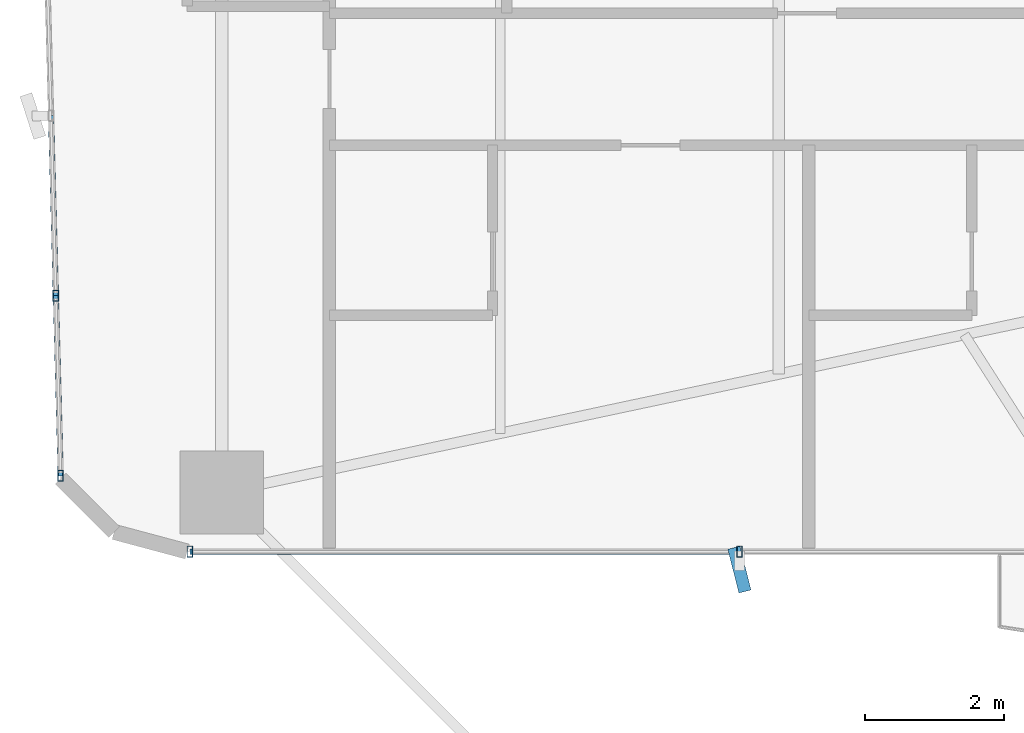
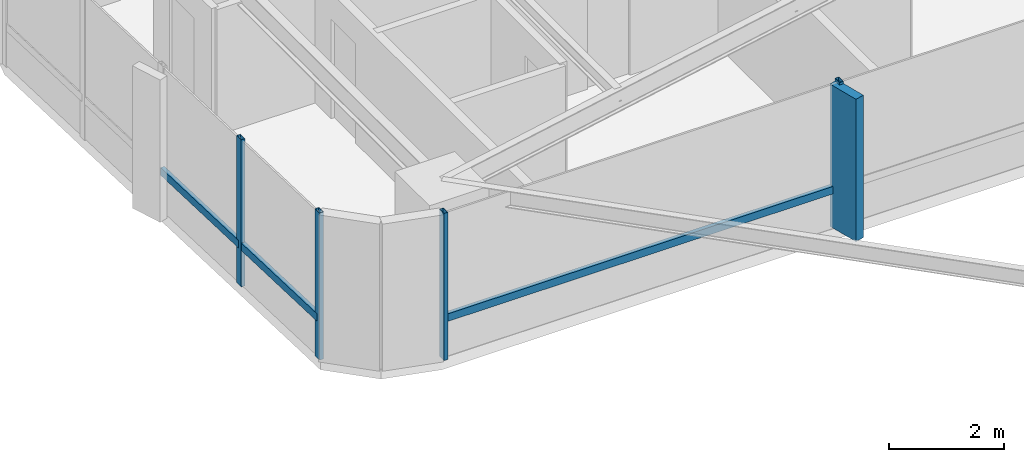
# One storey, part 6 of 26: 8 members, 2 elements without a shape of their own.
"""IFC4 building model written with IfcOpenShell, lengths in metres."""

import ifcopenshell
import ifcopenshell.guid

model = None  # the IFC model being written
_history = None  # IfcOwnerHistory: only IFC2X3 demands one
_inside = {}  # id of a spatial element -> (the spatial element, [elements in it])
_under = {}  # id of a project, library or spatial element -> (it, [spatial elements below it])
_declared = {}  # id of a project -> (the project, [libraries it declares])
_typed = {}  # id of a type object -> (the type object, [elements of that type])
_made_of = {}  # id of a material, layer set ... -> (it, [elements and type objects made of it])


def new_model(schema):
    """Start an empty IFC model of exactly this schema.

    Asked for "IFC4X3", IfcOpenShell would pick the latest addendum, in which some entities
    have other attributes; the version numbers below select the first issue.
    IFC2X3 requires an IfcOwnerHistory on every rooted entity: one is made here for all.
    """
    global model, _history
    if schema == "IFC4X3":
        model = ifcopenshell.file(schema_version=(4, 3, 0, 0))
    else:
        model = ifcopenshell.file(schema=schema)
    _inside.clear()
    _under.clear()
    _declared.clear()
    _typed.clear()
    _made_of.clear()
    _history = None
    if model.schema == "IFC2X3":
        org = make("IfcOrganization", Name="unknown")
        user = make(
            "IfcPersonAndOrganization",
            ThePerson=make("IfcPerson", FamilyName="unknown"),
            TheOrganization=org,
        )
        app = make(
            "IfcApplication",
            ApplicationDeveloper=org,
            Version="unknown",
            ApplicationFullName="unknown",
            ApplicationIdentifier="unknown",
        )
        _history = make(
            "IfcOwnerHistory",
            OwningUser=user,
            OwningApplication=app,
            ChangeAction="ADDED",
            CreationDate=0,
        )
    return model


def make(cls, **values):
    """One entity of the class cls with the attributes given. An attribute that is None is left unset."""
    return model.create_entity(
        cls, **{name: value for name, value in values.items() if value is not None}
    )


def rooted(cls, **values):
    """An entity with a GlobalId (a new one), such as an element, a storey or a relation."""
    return make(cls, GlobalId=ifcopenshell.guid.new(), OwnerHistory=_history, **values)


def si_unit(unit_type, name, prefix=None):
    """IfcSIUnit, for example si_unit("LENGTHUNIT", "METRE", prefix="MILLI")."""
    return make("IfcSIUnit", UnitType=unit_type, Prefix=prefix, Name=name)


def assignment(units):
    """IfcUnitAssignment: the units of a project."""
    return None if units is None else make("IfcUnitAssignment", Units=units)


def point(xyz):
    """IfcCartesianPoint."""
    return None if xyz is None else make("IfcCartesianPoint", Coordinates=xyz)


def direction(xyz):
    """IfcDirection."""
    return None if xyz is None else make("IfcDirection", DirectionRatios=xyz)


def frame(location, z_axis=None, x_axis=None):
    """IfcAxis2Placement3D, a coordinate frame: its origin and axes. An axis left out is left unset."""
    return make(
        "IfcAxis2Placement3D",
        Location=point(location),
        Axis=direction(z_axis),
        RefDirection=direction(x_axis),
    )


def frame_2d(location, x_axis=None):
    """IfcAxis2Placement2D, a coordinate frame in the plane: its origin and x axis."""
    return make(
        "IfcAxis2Placement2D", Location=point(location), RefDirection=direction(x_axis)
    )


def origin():
    """The frame at (0, 0, 0) with its axes left unset."""
    return frame((0.0, 0.0, 0.0))


def origin_2d():
    """The frame at (0, 0) in the plane with its x axis left unset."""
    return frame_2d((0.0, 0.0))


def place(relative_to, where):
    """IfcLocalPlacement: puts the frame where relative to a parent placement (None: the world)."""
    return make(
        "IfcLocalPlacement", PlacementRelTo=relative_to, RelativePlacement=where
    )


def context(
    kind, dimensions, precision=None, world=None, true_north=None, identifier=None
):
    """IfcGeometricRepresentationContext, for example the 3D "Model" context."""
    return make(
        "IfcGeometricRepresentationContext",
        ContextIdentifier=identifier,
        ContextType=kind,
        CoordinateSpaceDimension=dimensions,
        Precision=precision,
        WorldCoordinateSystem=world,
        TrueNorth=true_north,
    )


def subcontext(parent, identifier, kind, view, scale=None):
    """IfcGeometricRepresentationSubContext, for example "Body" below "Model"."""
    return make(
        "IfcGeometricRepresentationSubContext",
        ContextIdentifier=identifier,
        ContextType=kind,
        ParentContext=parent,
        TargetScale=scale,
        TargetView=view,
    )


def project(units=None, contexts=None):
    """IfcProject with its units and contexts."""
    return rooted(
        "IfcProject",
        Name="project",
        RepresentationContexts=contexts,
        UnitsInContext=assignment(units),
    )


def spatial(cls, under=None, at=None, **own):
    """A site, building, storey or space (cls), placed at a placement, below another one or the project."""
    s = rooted(cls, ObjectPlacement=at, **own)
    if under is not None:
        _under.setdefault(under.id(), (under, []))[1].append(s)
    return s


def profile(cls, at=None, kind="AREA", **sizes):
    """A parametric profile (cls). Its sizes go by their IFC names, for example OverallWidth=200.0."""
    return make(cls, ProfileType=kind, Position=at, **sizes)


def rectangle(**sizes):
    """IfcRectangleProfileDef."""
    return profile("IfcRectangleProfileDef", **sizes)


def hollow_rectangle(**sizes):
    """IfcRectangleHollowProfileDef."""
    return profile("IfcRectangleHollowProfileDef", **sizes)


def extrude(swept, where, along, depth):
    """IfcExtrudedAreaSolid: the profile swept, set in the frame where, extruded along a direction by depth."""
    return make(
        "IfcExtrudedAreaSolid",
        SweptArea=swept,
        Position=where,
        ExtrudedDirection=direction(along),
        Depth=depth,
    )


def shape(context_of_items, identifier, shape_type, items):
    """IfcShapeRepresentation: the items that make up one representation, for example the "Body"."""
    return make(
        "IfcShapeRepresentation",
        ContextOfItems=context_of_items,
        RepresentationIdentifier=identifier,
        RepresentationType=shape_type,
        Items=items,
    )


def source(mapping_origin, context_of_items, identifier, shape_type, items):
    """IfcRepresentationMap: a shape defined once, which mapped items show again and again."""
    return make(
        "IfcRepresentationMap",
        MappingOrigin=mapping_origin,
        MappedRepresentation=shape(context_of_items, identifier, shape_type, items),
    )


def transform(
    local_origin,
    x_axis=None,
    y_axis=None,
    z_axis=None,
    scale=None,
    scale2=None,
    scale3=None,
    uniform=True,
):
    """IfcCartesianTransformationOperator3D, or its non-uniform kind. x_axis, y_axis, z_axis: its Axis1, 2, 3."""
    if uniform:
        return make(
            "IfcCartesianTransformationOperator3D",
            Axis1=direction(x_axis),
            Axis2=direction(y_axis),
            LocalOrigin=point(local_origin),
            Scale=scale,
            Axis3=direction(z_axis),
        )
    return make(
        "IfcCartesianTransformationOperator3DnonUniform",
        Axis1=direction(x_axis),
        Axis2=direction(y_axis),
        LocalOrigin=point(local_origin),
        Scale=scale,
        Axis3=direction(z_axis),
        Scale2=scale2,
        Scale3=scale3,
    )


def mapped(mapping_source, mapping_target):
    """IfcMappedItem: shows the shape of a source again, moved by a transform."""
    return make(
        "IfcMappedItem", MappingSource=mapping_source, MappingTarget=mapping_target
    )


def material(Name=None, Category=None):
    """IfcMaterial."""
    return make("IfcMaterial", Name=Name, Category=Category)


def material_profile(
    of_material, cross_section, Name=None, Category=None, Priority=None
):
    """IfcMaterialProfile: a cross section and its material."""
    return make(
        "IfcMaterialProfile",
        Name=Name,
        Material=of_material,
        Profile=cross_section,
        Priority=Priority,
        Category=Category,
    )


def profile_set(profiles, Name=None, composite=None):
    """IfcMaterialProfileSet."""
    return make(
        "IfcMaterialProfileSet",
        Name=Name,
        MaterialProfiles=profiles,
        CompositeProfile=composite,
    )


def made_of(thing, what):
    """Note that an element or type object is made of a material, layer set ...; save() writes the relation."""
    if what is not None:
        _made_of.setdefault(what.id(), (what, []))[1].append(thing)
    return thing


def type_object(cls, material=None, **own):
    """A type object (cls), such as IfcWallType, which elements share."""
    return made_of(rooted(cls, **own), material)


def element(
    cls,
    number,
    at=None,
    inside=None,
    cuts=None,
    type_object=None,
    material=None,
    context=None,
    identifier="Body",
    shape_type=None,
    held_by="IfcProductDefinitionShape",
    body=None,
    shapes=None,
    **own,
):
    """One element of the class cls, such as IfcWall. Its Tag is "e" and its number.

    at: its placement. inside: the storey or other place that contains it. cuts: it is an
    opening in that element (IfcRelVoidsElement). A single representation is given by context,
    identifier, shape_type and body (its items); several are given by shapes. held_by: the class
    of the entity that holds the representations. save() writes the other relations.
    """
    e = rooted(cls, Tag="e%d" % number, ObjectPlacement=at, **own)
    if body is not None:
        shapes = [shape(context, identifier, shape_type, body)]
    if shapes is not None:
        e.Representation = make(held_by, Representations=shapes)
    if inside is not None:
        _inside.setdefault(inside.id(), (inside, []))[1].append(e)
    if cuts is not None:
        rooted(
            "IfcRelVoidsElement", RelatingBuildingElement=cuts, RelatedOpeningElement=e
        )
    if type_object is not None:
        _typed.setdefault(type_object.id(), (type_object, []))[1].append(e)
    return made_of(e, material)


def aggregate(whole, parts):
    """IfcRelAggregates: a whole, such as a stair, and the parts it consists of."""
    return rooted("IfcRelAggregates", RelatingObject=whole, RelatedObjects=parts)


def save(model, path):
    """Write the relations noted so far, then the file.

    IfcRelAggregates (storeys below a building ...), IfcRelContainedInSpatialStructure (elements
    in a storey), IfcRelDefinesByType, IfcRelAssociatesMaterial and IfcRelDeclares: one each for
    every whole, place, type object, material and project.
    """
    for whole, parts in _under.values():
        aggregate(whole, parts)
    for where, things in _inside.values():
        rooted(
            "IfcRelContainedInSpatialStructure",
            RelatedElements=things,
            RelatingStructure=where,
        )
    for kind, things in _typed.values():
        rooted("IfcRelDefinesByType", RelatedObjects=things, RelatingType=kind)
    for what, things in _made_of.values():
        rooted("IfcRelAssociatesMaterial", RelatedObjects=things, RelatingMaterial=what)
    for by, libraries in _declared.values():
        rooted("IfcRelDeclares", RelatingContext=by, RelatedDefinitions=libraries)
    model.write(path)


model = new_model("IFC4")

# Units and contexts
model_context = context("Model", 3, precision=1e-05, world=origin(), true_north=direction((0.0, 1.0)))
body_context = subcontext(model_context, "Body", "Model", "MODEL_VIEW")
ifc_project = project(units=[si_unit("LENGTHUNIT", "METRE"), si_unit("AREAUNIT", "SQUARE_METRE"), si_unit("VOLUMEUNIT", "CUBIC_METRE"), si_unit("PLANEANGLEUNIT", "RADIAN"), si_unit("MASSUNIT", "GRAM", prefix="KILO")], contexts=[model_context])

# Site, building, storey
site_placement = place(None, origin())
site = spatial("IfcSite", under=ifc_project, at=site_placement, CompositionType="ELEMENT")
building_placement = place(site_placement, origin())
building = spatial("IfcBuilding", under=site, at=building_placement, Name="Sahyath Konkavel Grand Hotel", CompositionType="ELEMENT")
storey_placement = place(building_placement, frame((0.0, 0.0, 51.050048828125)))
storey = spatial("IfcBuildingStorey", under=building, at=storey_placement, Name="L13", CompositionType="ELEMENT", Elevation=51.050048828125)

# Curtain wall, members
ifc_material_1 = material(Name="Anodised Bronze Aluminium & Low-E Glazing", Category="aluminium")
curtain_wall_type = type_object("IfcCurtainWallType", Name="CW-ZONE1", PredefinedType="NOTDEFINED", material=ifc_material_1)
curtain_wall_1_placement = place(storey_placement, origin())
curtain_wall_1 = element("IfcCurtainWall", 1, at=curtain_wall_1_placement, inside=storey, type_object=curtain_wall_type, Name="L13 Unitised Curtain Wall F20", PredefinedType="NOTDEFINED")
ifc_material_2 = material(Name="Anodised Bronze Aluminium", Category="aluminium")
ifc_material_profile_1 = material_profile(ifc_material_2, hollow_rectangle(XDim=0.080078125, YDim=0.159912109375, WallThickness=0.006103515625, at=origin_2d()), Name="RHS 160x80x6")
ifc_profile_set_1 = profile_set([ifc_material_profile_1], Name="Anodised Bronze Aluminium")
member_type_1 = type_object("IfcMemberType", Name="CW-MUL-160", PredefinedType="MULLION", material=ifc_profile_set_1)
shared_shape_1 = source(origin(), body_context, "Body", "SweptSolid", [
    extrude(hollow_rectangle(XDim=0.080078125, YDim=0.159912109375, WallThickness=0.006103515625, at=origin_2d()), origin(), (0.0, 0.0, 1.0), 3.10986328125),
])
member_1_placement = place(storey_placement, frame((-24.589599609375, -3.117431640625, 0.0), z_axis=(0.0, 0.0, 1.0), x_axis=(1.0, 0.0, 0.0)))
member_1 = element("IfcMember", 2, at=member_1_placement, type_object=member_type_1, Name="L13 Curtain Wall Mullion F20-3", PredefinedType="MULLION", context=body_context, shape_type="MappedRepresentation", body=[
    mapped(shared_shape_1, transform((0.0, 0.0, 0.0), scale=1.0)),
])
member_2_placement = place(storey_placement, frame((-24.519775390625, -5.7099609375, 0.0), z_axis=(0.0, 0.0, 1.0), x_axis=(1.0, 0.0, 0.0)))
member_2 = element("IfcMember", 3, at=member_2_placement, type_object=member_type_1, Name="L13 Curtain Wall Mullion F20-4", PredefinedType="MULLION", context=body_context, shape_type="MappedRepresentation", body=[
    mapped(shared_shape_1, transform((0.0, 0.0, 0.0), scale=1.0)),
])

curtain_wall_2_placement = place(storey_placement, origin())
curtain_wall_2 = element("IfcCurtainWall", 4, at=curtain_wall_2_placement, inside=storey, type_object=curtain_wall_type, Name="L13 Unitised Curtain Wall F23", PredefinedType="NOTDEFINED")
member_3_placement = place(storey_placement, frame((-22.659912109375, -6.800048828125, 0.0), z_axis=(0.0, 0.0, 1.0), x_axis=(1.0, 0.0, 0.0)))
member_3 = element("IfcMember", 5, at=member_3_placement, type_object=member_type_1, Name="L13 Curtain Wall Mullion F23-0", PredefinedType="MULLION", context=body_context, shape_type="MappedRepresentation", body=[
    mapped(shared_shape_1, transform((0.0, 0.0, 0.0), scale=1.0)),
])
member_4_placement = place(storey_placement, frame((-14.75, -6.800048828125, 0.0), z_axis=(0.0, 0.0, 1.0), x_axis=(1.0, 0.0, 0.0)))
member_4 = element("IfcMember", 6, at=member_4_placement, type_object=member_type_1, Name="L13 Curtain Wall Mullion F23-1", PredefinedType="MULLION", context=body_context, shape_type="MappedRepresentation", body=[
    mapped(shared_shape_1, transform((0.0, 0.0, 0.0), scale=1.0)),
])
ifc_material_3 = material(Name="Warm Buff Sandstone Cladding on Concrete C50/60", Category="masonry")
ifc_material_profile_2 = material_profile(ifc_material_3, rectangle(XDim=0.179931640625, YDim=0.64990234375, at=origin_2d()), Name="FIN 180x650")
ifc_profile_set_2 = profile_set([ifc_material_profile_2], Name="Warm Buff Sandstone Cladding on Concrete C50/60")
member_type_2 = type_object("IfcMemberType", Name="FIN-SANDSTONE-650", PredefinedType="MULLION", material=ifc_profile_set_2)
shared_shape_2 = source(origin(), body_context, "Body", "SweptSolid", [
    extrude(rectangle(XDim=0.179931640625, YDim=0.64990234375, at=origin_2d()), origin(), (0.0, 0.0, 1.0), 3.010009765625),
])
member_5_placement = place(storey_placement, frame((-14.75, -7.06005859375, 0.050048828125), z_axis=(0.0, 0.0, 1.0), x_axis=(0.969359662404, 0.245645771192, 0.0)))
member_5 = element("IfcMember", 7, at=member_5_placement, type_object=member_type_2, Name="L13 Sandstone Vertical Solar Fin FIN F23-1", PredefinedType="MULLION", context=body_context, shape_type="MappedRepresentation", body=[
    mapped(shared_shape_2, transform((0.0, 0.0, 0.0), scale=1.0)),
])
ifc_material_profile_3 = material_profile(ifc_material_2, hollow_rectangle(XDim=0.080078125, YDim=0.159912109375, WallThickness=0.006103515625, at=origin_2d()), Name="RHS 160x80x6")
ifc_profile_set_3 = profile_set([ifc_material_profile_3], Name="Anodised Bronze Aluminium")
member_type_3 = type_object("IfcMemberType", Name="CW-TRN-160", PredefinedType="USERDEFINED", material=ifc_profile_set_3)
shared_shape_3 = source(origin(), body_context, "Body", "SweptSolid", [
    extrude(hollow_rectangle(XDim=0.080078125, YDim=0.159912109375, WallThickness=0.006103515625, at=origin_2d()), origin(), (0.0, 0.0, 1.0), 7.909912109375),
])
member_6_placement = place(storey_placement, frame((-22.659912109375, -6.800048828125, 0.849853515625), z_axis=(1.0, 0.0, 0.0), x_axis=(0.0, 1.0, 0.0)))
member_6 = element("IfcMember", 8, at=member_6_placement, type_object=member_type_3, Name="L13 Curtain Wall Transom F23-0-spandrel", ObjectType="TRANSOM", PredefinedType="USERDEFINED", context=body_context, shape_type="MappedRepresentation", body=[
    mapped(shared_shape_3, transform((0.0, 0.0, 0.0), scale=1.0)),
])
aggregate(curtain_wall_2, [member_3, member_4, member_5, member_6])

# Member
shared_shape_4 = source(origin(), body_context, "Body", "SweptSolid", [
    extrude(hollow_rectangle(XDim=0.080078125, YDim=0.159912109375, WallThickness=0.006103515625, at=origin_2d()), origin(), (0.0, 0.0, 1.0), 2.593505859375),
])
member_7_placement = place(storey_placement, frame((-24.6591796875, -0.52490234375, 0.849853515625), z_axis=(0.02682902444, -0.999640036937, 0.0), x_axis=(0.999640036937, 0.02682902444, 0.0)))
member_7 = element("IfcMember", 9, at=member_7_placement, type_object=member_type_3, Name="L13 Curtain Wall Transom F20-2-spandrel", ObjectType="TRANSOM", PredefinedType="USERDEFINED", context=body_context, shape_type="MappedRepresentation", body=[
    mapped(shared_shape_4, transform((0.0, 0.0, 0.0), scale=1.0)),
])

member_8_placement = place(storey_placement, frame((-24.589599609375, -3.117431640625, 0.849853515625), z_axis=(0.026923093252, -0.999637507825, 0.0), x_axis=(0.999637507825, 0.026923093252, 0.0)))
member_8 = element("IfcMember", 10, at=member_8_placement, type_object=member_type_3, Name="L13 Curtain Wall Transom F20-3-spandrel", ObjectType="TRANSOM", PredefinedType="USERDEFINED", context=body_context, shape_type="MappedRepresentation", body=[
    mapped(shared_shape_4, transform((0.0, 0.0, 0.0), scale=1.0)),
])

aggregate(curtain_wall_1, [member_1, member_2, member_7, member_8])

save(model, "model.ifc")
